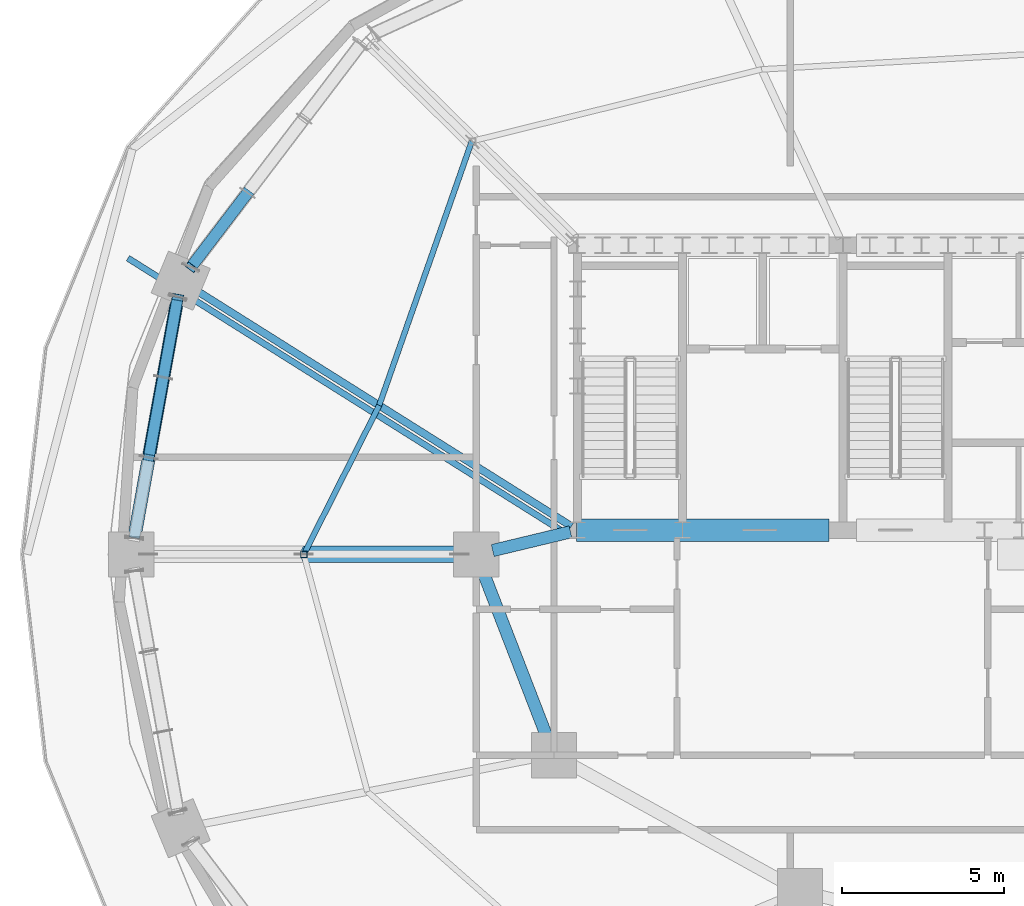
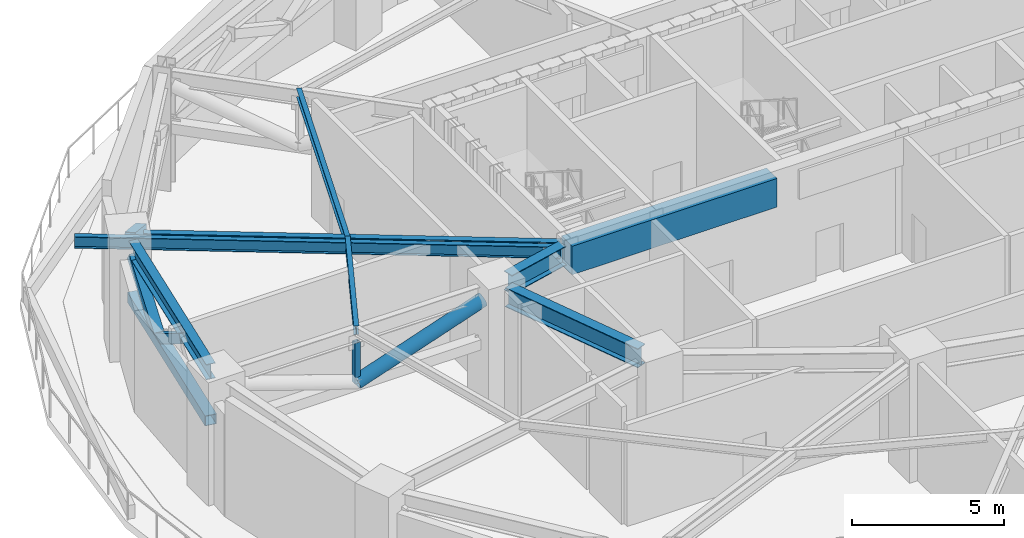
# One storey, part 3 of 18: 8 beams, 6 members.
"""IFC4 building model written with IfcOpenShell, lengths in metres."""

import ifcopenshell
import ifcopenshell.guid

model = None  # the IFC model being written
_history = None  # IfcOwnerHistory: only IFC2X3 demands one
_inside = {}  # id of a spatial element -> (the spatial element, [elements in it])
_under = {}  # id of a project, library or spatial element -> (it, [spatial elements below it])
_declared = {}  # id of a project -> (the project, [libraries it declares])
_typed = {}  # id of a type object -> (the type object, [elements of that type])
_made_of = {}  # id of a material, layer set ... -> (it, [elements and type objects made of it])


def new_model(schema):
    """Start an empty IFC model of exactly this schema.

    Asked for "IFC4X3", IfcOpenShell would pick the latest addendum, in which some entities
    have other attributes; the version numbers below select the first issue.
    IFC2X3 requires an IfcOwnerHistory on every rooted entity: one is made here for all.
    """
    global model, _history
    if schema == "IFC4X3":
        model = ifcopenshell.file(schema_version=(4, 3, 0, 0))
    else:
        model = ifcopenshell.file(schema=schema)
    _inside.clear()
    _under.clear()
    _declared.clear()
    _typed.clear()
    _made_of.clear()
    _history = None
    if model.schema == "IFC2X3":
        org = make("IfcOrganization", Name="unknown")
        user = make(
            "IfcPersonAndOrganization",
            ThePerson=make("IfcPerson", FamilyName="unknown"),
            TheOrganization=org,
        )
        app = make(
            "IfcApplication",
            ApplicationDeveloper=org,
            Version="unknown",
            ApplicationFullName="unknown",
            ApplicationIdentifier="unknown",
        )
        _history = make(
            "IfcOwnerHistory",
            OwningUser=user,
            OwningApplication=app,
            ChangeAction="ADDED",
            CreationDate=0,
        )
    return model


def make(cls, **values):
    """One entity of the class cls with the attributes given. An attribute that is None is left unset."""
    return model.create_entity(
        cls, **{name: value for name, value in values.items() if value is not None}
    )


def rooted(cls, **values):
    """An entity with a GlobalId (a new one), such as an element, a storey or a relation."""
    return make(cls, GlobalId=ifcopenshell.guid.new(), OwnerHistory=_history, **values)


def si_unit(unit_type, name, prefix=None):
    """IfcSIUnit, for example si_unit("LENGTHUNIT", "METRE", prefix="MILLI")."""
    return make("IfcSIUnit", UnitType=unit_type, Prefix=prefix, Name=name)


def assignment(units):
    """IfcUnitAssignment: the units of a project."""
    return None if units is None else make("IfcUnitAssignment", Units=units)


def point(xyz):
    """IfcCartesianPoint."""
    return None if xyz is None else make("IfcCartesianPoint", Coordinates=xyz)


def direction(xyz):
    """IfcDirection."""
    return None if xyz is None else make("IfcDirection", DirectionRatios=xyz)


def frame(location, z_axis=None, x_axis=None):
    """IfcAxis2Placement3D, a coordinate frame: its origin and axes. An axis left out is left unset."""
    return make(
        "IfcAxis2Placement3D",
        Location=point(location),
        Axis=direction(z_axis),
        RefDirection=direction(x_axis),
    )


def frame_2d(location, x_axis=None):
    """IfcAxis2Placement2D, a coordinate frame in the plane: its origin and x axis."""
    return make(
        "IfcAxis2Placement2D", Location=point(location), RefDirection=direction(x_axis)
    )


def origin():
    """The frame at (0, 0, 0) with its axes left unset."""
    return frame((0.0, 0.0, 0.0))


def origin_2d():
    """The frame at (0, 0) in the plane with its x axis left unset."""
    return frame_2d((0.0, 0.0))


def place(relative_to, where):
    """IfcLocalPlacement: puts the frame where relative to a parent placement (None: the world)."""
    return make(
        "IfcLocalPlacement", PlacementRelTo=relative_to, RelativePlacement=where
    )


def context(
    kind, dimensions, precision=None, world=None, true_north=None, identifier=None
):
    """IfcGeometricRepresentationContext, for example the 3D "Model" context."""
    return make(
        "IfcGeometricRepresentationContext",
        ContextIdentifier=identifier,
        ContextType=kind,
        CoordinateSpaceDimension=dimensions,
        Precision=precision,
        WorldCoordinateSystem=world,
        TrueNorth=true_north,
    )


def subcontext(parent, identifier, kind, view, scale=None):
    """IfcGeometricRepresentationSubContext, for example "Body" below "Model"."""
    return make(
        "IfcGeometricRepresentationSubContext",
        ContextIdentifier=identifier,
        ContextType=kind,
        ParentContext=parent,
        TargetScale=scale,
        TargetView=view,
    )


def project(units=None, contexts=None):
    """IfcProject with its units and contexts."""
    return rooted(
        "IfcProject",
        Name="project",
        RepresentationContexts=contexts,
        UnitsInContext=assignment(units),
    )


def spatial(cls, under=None, at=None, **own):
    """A site, building, storey or space (cls), placed at a placement, below another one or the project."""
    s = rooted(cls, ObjectPlacement=at, **own)
    if under is not None:
        _under.setdefault(under.id(), (under, []))[1].append(s)
    return s


def profile(cls, at=None, kind="AREA", **sizes):
    """A parametric profile (cls). Its sizes go by their IFC names, for example OverallWidth=200.0."""
    return make(cls, ProfileType=kind, Position=at, **sizes)


def rectangle(**sizes):
    """IfcRectangleProfileDef."""
    return profile("IfcRectangleProfileDef", **sizes)


def hollow_rectangle(**sizes):
    """IfcRectangleHollowProfileDef."""
    return profile("IfcRectangleHollowProfileDef", **sizes)


def hollow_circle(**sizes):
    """IfcCircleHollowProfileDef."""
    return profile("IfcCircleHollowProfileDef", **sizes)


def i_section(**sizes):
    """IfcIShapeProfileDef."""
    return profile("IfcIShapeProfileDef", **sizes)


def extrude(swept, where, along, depth):
    """IfcExtrudedAreaSolid: the profile swept, set in the frame where, extruded along a direction by depth."""
    return make(
        "IfcExtrudedAreaSolid",
        SweptArea=swept,
        Position=where,
        ExtrudedDirection=direction(along),
        Depth=depth,
    )


def shape(context_of_items, identifier, shape_type, items):
    """IfcShapeRepresentation: the items that make up one representation, for example the "Body"."""
    return make(
        "IfcShapeRepresentation",
        ContextOfItems=context_of_items,
        RepresentationIdentifier=identifier,
        RepresentationType=shape_type,
        Items=items,
    )


def material(Name=None, Category=None):
    """IfcMaterial."""
    return make("IfcMaterial", Name=Name, Category=Category)


def material_profile(
    of_material, cross_section, Name=None, Category=None, Priority=None
):
    """IfcMaterialProfile: a cross section and its material."""
    return make(
        "IfcMaterialProfile",
        Name=Name,
        Material=of_material,
        Profile=cross_section,
        Priority=Priority,
        Category=Category,
    )


def profile_set(profiles, Name=None, composite=None):
    """IfcMaterialProfileSet."""
    return make(
        "IfcMaterialProfileSet",
        Name=Name,
        MaterialProfiles=profiles,
        CompositeProfile=composite,
    )


def made_of(thing, what):
    """Note that an element or type object is made of a material, layer set ...; save() writes the relation."""
    if what is not None:
        _made_of.setdefault(what.id(), (what, []))[1].append(thing)
    return thing


def type_object(cls, material=None, **own):
    """A type object (cls), such as IfcWallType, which elements share."""
    return made_of(rooted(cls, **own), material)


def element(
    cls,
    number,
    at=None,
    inside=None,
    cuts=None,
    type_object=None,
    material=None,
    context=None,
    identifier="Body",
    shape_type=None,
    held_by="IfcProductDefinitionShape",
    body=None,
    shapes=None,
    **own,
):
    """One element of the class cls, such as IfcWall. Its Tag is "e" and its number.

    at: its placement. inside: the storey or other place that contains it. cuts: it is an
    opening in that element (IfcRelVoidsElement). A single representation is given by context,
    identifier, shape_type and body (its items); several are given by shapes. held_by: the class
    of the entity that holds the representations. save() writes the other relations.
    """
    e = rooted(cls, Tag="e%d" % number, ObjectPlacement=at, **own)
    if body is not None:
        shapes = [shape(context, identifier, shape_type, body)]
    if shapes is not None:
        e.Representation = make(held_by, Representations=shapes)
    if inside is not None:
        _inside.setdefault(inside.id(), (inside, []))[1].append(e)
    if cuts is not None:
        rooted(
            "IfcRelVoidsElement", RelatingBuildingElement=cuts, RelatedOpeningElement=e
        )
    if type_object is not None:
        _typed.setdefault(type_object.id(), (type_object, []))[1].append(e)
    return made_of(e, material)


def aggregate(whole, parts):
    """IfcRelAggregates: a whole, such as a stair, and the parts it consists of."""
    return rooted("IfcRelAggregates", RelatingObject=whole, RelatedObjects=parts)


def save(model, path):
    """Write the relations noted so far, then the file.

    IfcRelAggregates (storeys below a building ...), IfcRelContainedInSpatialStructure (elements
    in a storey), IfcRelDefinesByType, IfcRelAssociatesMaterial and IfcRelDeclares: one each for
    every whole, place, type object, material and project.
    """
    for whole, parts in _under.values():
        aggregate(whole, parts)
    for where, things in _inside.values():
        rooted(
            "IfcRelContainedInSpatialStructure",
            RelatedElements=things,
            RelatingStructure=where,
        )
    for kind, things in _typed.values():
        rooted("IfcRelDefinesByType", RelatedObjects=things, RelatingType=kind)
    for what, things in _made_of.values():
        rooted("IfcRelAssociatesMaterial", RelatedObjects=things, RelatingMaterial=what)
    for by, libraries in _declared.values():
        rooted("IfcRelDeclares", RelatingContext=by, RelatedDefinitions=libraries)
    model.write(path)


model = new_model("IFC4")

# Units and contexts
model_context = context("Model", 3, precision=1e-05, world=origin(), true_north=direction((0.0, 1.0)))
body_context = subcontext(model_context, "Body", "Model", "MODEL_VIEW")
ifc_project = project(units=[si_unit("LENGTHUNIT", "METRE"), si_unit("AREAUNIT", "SQUARE_METRE"), si_unit("VOLUMEUNIT", "CUBIC_METRE"), si_unit("PLANEANGLEUNIT", "RADIAN"), si_unit("MASSUNIT", "GRAM", prefix="KILO")], contexts=[model_context])

# Site, building, storey
site_placement = place(None, origin())
site = spatial("IfcSite", under=ifc_project, at=site_placement, CompositionType="ELEMENT")
building_placement = place(site_placement, origin())
building = spatial("IfcBuilding", under=site, at=building_placement, Name="Haldorwick Loom Tower", CompositionType="ELEMENT")
storey_placement = place(building_placement, frame((0.0, 0.0, 76.800048828125)))
storey = spatial("IfcBuildingStorey", under=building, at=storey_placement, Name="L20", CompositionType="ELEMENT", Elevation=76.800048828125)

# Beams
ifc_material_1 = material(Name="Steel CSA G40.21 350W", Category="steel")
ifc_material_profile_1 = material_profile(ifc_material_1, i_section(OverallWidth=0.193115234375, OverallDepth=0.466064453125, WebThickness=0.011474609375, FlangeThickness=0.01904296875, at=origin_2d()), Name="W460X97", Category="steel")
ifc_profile_set_1 = profile_set([ifc_material_profile_1], Name="Steel CSA G40.21 350W")
beam_type_1 = type_object("IfcBeamType", Name="STR-BM-BAL460", PredefinedType="BEAM", material=ifc_profile_set_1)
beam_1_placement = place(storey_placement, frame((21.590576171875, 26.6328125, 4.52685546875), z_axis=(-0.846621037802, 0.532196221662, 0.0), x_axis=(-0.532196221662, -0.846621037802, 0.0)))
element("IfcBeam", 1, at=beam_1_placement, inside=storey, type_object=beam_type_1, Name="L20 Continuous Back-Spanned Balcony Beam 3", PredefinedType="BEAM", context=body_context, shape_type="SweptSolid", body=[
    extrude(i_section(OverallWidth=0.193115234375, OverallDepth=0.466064453125, WebThickness=0.011474609375, FlangeThickness=0.01904296875, at=origin_2d()), origin(), (0.0, 0.0, 1.0), 16.0068359375),
])
ifc_material_2 = material(Name="Concrete C60 (60 MPa)", Category="concrete")
ifc_material_profile_2 = material_profile(ifc_material_2, rectangle(XDim=0.699951171875, YDim=1.14990234375, at=origin_2d()), Name="RC700X1150", Category="concrete")
ifc_profile_set_2 = profile_set([ifc_material_profile_2], Name="Concrete C60 (60 MPa)")
beam_type_2 = type_object("IfcBeamType", Name="STR-BM-CB1150", PredefinedType="LINTEL", material=ifc_profile_set_2)
beam_2_placement = place(storey_placement, frame((21.89990234375, 26.75, 4.18505859375), z_axis=(1.0, 0.0, 0.0), x_axis=(0.0, 1.0, 0.0)))
element("IfcBeam", 2, at=beam_2_placement, inside=storey, type_object=beam_type_2, Name="L20 Core Coupling Beam CB-S1", PredefinedType="LINTEL", context=body_context, shape_type="SweptSolid", body=[
    extrude(rectangle(XDim=0.699951171875, YDim=1.14990234375, at=origin_2d()), origin(), (0.0, 0.0, 1.0), 7.800048828125),
])
ifc_material_profile_3 = material_profile(ifc_material_1, i_section(OverallWidth=0.172119140625, OverallDepth=0.35791015625, WebThickness=0.0078125, FlangeThickness=0.01318359375, at=origin_2d()), Name="W360X57", Category="steel")
ifc_profile_set_3 = profile_set([ifc_material_profile_3], Name="Steel CSA G40.21 350W")
beam_type_3 = type_object("IfcBeamType", Name="STR-BM-J360", PredefinedType="JOIST", material=ifc_profile_set_3)
beam_3_placement = place(storey_placement, frame((18.66162109375, 38.765869140625, 4.5810546875), z_axis=(-0.330864603503, -0.943678236556, 0.0), x_axis=(0.943678236556, -0.330864603503, 0.0)))
element("IfcBeam", 3, at=beam_3_placement, inside=storey, type_object=beam_type_3, Name="L20 Mid-Bay Secondary Joist 7", PredefinedType="JOIST", context=body_context, shape_type="SweptSolid", body=[
    extrude(i_section(OverallWidth=0.172119140625, OverallDepth=0.35791015625, WebThickness=0.0078125, FlangeThickness=0.01318359375, at=origin_2d()), origin(), (0.0, 0.0, 1.0), 8.6494140625),
])
beam_4_placement = place(storey_placement, frame((15.7998046875, 30.603515625, 4.5810546875), z_axis=(-0.451373231558, -0.892335254169, 0.0), x_axis=(0.892335254169, -0.451373231558, 0.0)))
element("IfcBeam", 4, at=beam_4_placement, inside=storey, type_object=beam_type_3, Name="L20 Mid-Bay Secondary Joist 8", PredefinedType="JOIST", context=body_context, shape_type="SweptSolid", body=[
    extrude(i_section(OverallWidth=0.172119140625, OverallDepth=0.35791015625, WebThickness=0.0078125, FlangeThickness=0.01318359375, at=origin_2d()), origin(), (0.0, 0.0, 1.0), 5.158935546875),
])
ifc_material_profile_4 = material_profile(ifc_material_1, i_section(OverallWidth=0.324951171875, OverallDepth=0.615966796875, WebThickness=0.013916015625, FlangeThickness=0.021484375, at=origin_2d()), Name="W610X174", Category="steel")
ifc_profile_set_4 = profile_set([ifc_material_profile_4], Name="Steel CSA G40.21 350W")
beam_type_4 = type_object("IfcBeamType", Name="STR-BM-SP610", PredefinedType="SPANDREL", material=ifc_profile_set_4)
beam_5_placement = place(storey_placement, frame((9.576904296875, 33.945556640625, 4.451904296875), z_axis=(-0.177659490888, -0.984092020747, 0.0), x_axis=(0.984092020747, -0.177659490888, 0.0)))
element("IfcBeam", 5, at=beam_5_placement, inside=storey, type_object=beam_type_4, Name="L20 Perimeter Spandrel 8", PredefinedType="SPANDREL", context=body_context, shape_type="SweptSolid", body=[
    extrude(i_section(OverallWidth=0.324951171875, OverallDepth=0.615966796875, WebThickness=0.013916015625, FlangeThickness=0.021484375, at=origin_2d()), origin(), (0.0, 0.0, 1.0), 7.553955078125),
])
ifc_material_profile_5 = material_profile(ifc_material_1, i_section(OverallWidth=0.22998046875, OverallDepth=0.616943359375, WebThickness=0.01318359375, FlangeThickness=0.022216796875, at=origin_2d()), Name="W610X140", Category="steel")
ifc_profile_set_5 = profile_set([ifc_material_profile_5], Name="Steel CSA G40.21 350W")
beam_type_5 = type_object("IfcBeamType", Name="STR-BM-W610B", PredefinedType="BEAM", material=ifc_profile_set_5)
beam_6_placement = place(storey_placement, frame((21.739501953125, 26.86962890625, 4.451416015625), z_axis=(-0.846609551433, 0.532214493811, 0.0), x_axis=(-0.532214493811, -0.846609551433, 0.0)))
element("IfcBeam", 6, at=beam_6_placement, inside=storey, type_object=beam_type_5, Name="L20 Radial Floor Girder 8", PredefinedType="BEAM", context=body_context, shape_type="SweptSolid", body=[
    extrude(i_section(OverallWidth=0.22998046875, OverallDepth=0.616943359375, WebThickness=0.01318359375, FlangeThickness=0.022216796875, at=origin_2d()), origin(), (0.0, 0.0, 1.0), 13.737060546875),
])
ifc_material_profile_6 = material_profile(ifc_material_1, i_section(OverallWidth=0.381103515625, OverallDepth=0.77294921875, WebThickness=0.0166015625, FlangeThickness=0.027587890625, at=origin_2d()), Name="W760X257", Category="steel")
ifc_profile_set_6 = profile_set([ifc_material_profile_6], Name="Steel CSA G40.21 350W")
beam_type_6 = type_object("IfcBeamType", Name="STR-BM-W760", PredefinedType="BEAM", material=ifc_profile_set_6)
beam_7_placement = place(storey_placement, frame((21.01220703125, 20.284912109375, 4.37353515625), z_axis=(-0.360964792353, 0.93257944363, 0.0), x_axis=(-0.93257944363, -0.360964792353, 0.0)))
element("IfcBeam", 7, at=beam_7_placement, inside=storey, type_object=beam_type_6, Name="L20 Inner Ring Girder 8", PredefinedType="BEAM", context=body_context, shape_type="SweptSolid", body=[
    extrude(i_section(OverallWidth=0.381103515625, OverallDepth=0.77294921875, WebThickness=0.0166015625, FlangeThickness=0.027587890625, at=origin_2d()), origin(), (0.0, 0.0, 1.0), 5.6083984375),
])
beam_8_placement = place(storey_placement, frame((19.3056640625, 26.12109375, 4.37353515625), z_axis=(0.97247055837, 0.233025777764, 0.0), x_axis=(-0.233025777764, 0.97247055837, 0.0)))
element("IfcBeam", 8, at=beam_8_placement, inside=storey, type_object=beam_type_6, Name="L20 Inner Ring Girder 9", PredefinedType="BEAM", context=body_context, shape_type="SweptSolid", body=[
    extrude(i_section(OverallWidth=0.381103515625, OverallDepth=0.77294921875, WebThickness=0.0166015625, FlangeThickness=0.027587890625, at=origin_2d()), origin(), (0.0, 0.0, 1.0), 2.4736328125),
])

# Members
ifc_material_profile_7 = material_profile(ifc_material_1, hollow_rectangle(XDim=0.355712890625, YDim=0.355712890625, WallThickness=0.015869140625, at=origin_2d()), Name="HSS356X356X16", Category="steel")
ifc_profile_set_7 = profile_set([ifc_material_profile_7], Name="Steel CSA G40.21 350W")
member_type_1 = type_object("IfcMemberType", Name="STR-MEM-BR356", PredefinedType="BRACE", material=ifc_profile_set_7)
member_1_placement = place(storey_placement, frame((11.731689453125, 37.16845703125, 2.5), z_axis=(-0.526079233479, -0.691590610092, 0.49491723362), x_axis=(0.795901344986, -0.6054263366, 0.0)))
element("IfcMember", 9, at=member_1_placement, inside=storey, type_object=member_type_1, Name="L20 Perimeter Belt Truss Web Diagonal 7-3", PredefinedType="BRACE", context=body_context, shape_type="SweptSolid", body=[
    extrude(hollow_rectangle(XDim=0.355712890625, YDim=0.355712890625, WallThickness=0.015869140625, at=origin_2d()), origin(), (0.0, 0.0, 1.0), 3.32177734375),
])
member_2_placement = place(storey_placement, frame((9.576904296875, 33.945556640625, 4.14404296875), z_axis=(-0.148729188823, -0.8240181586, -0.546693426602), x_axis=(0.984098690471, -0.177622541965, 0.0)))
element("IfcMember", 10, at=member_2_placement, inside=storey, type_object=member_type_1, Name="L20 Perimeter Belt Truss Web Diagonal 8-1", PredefinedType="BRACE", context=body_context, shape_type="SweptSolid", body=[
    extrude(hollow_rectangle(XDim=0.355712890625, YDim=0.355712890625, WallThickness=0.015869140625, at=origin_2d()), origin(), (0.0, 0.0, 1.0), 3.00732421875),
])
member_3_placement = place(storey_placement, frame((9.129638671875, 31.467529296875, 2.5), z_axis=(-0.148818530754, -0.823982143275, 0.546723396671), x_axis=(0.984078676094, -0.177733393761, 0.0)))
element("IfcMember", 11, at=member_3_placement, inside=storey, type_object=member_type_1, Name="L20 Perimeter Belt Truss Web Diagonal 8-2", PredefinedType="BRACE", context=body_context, shape_type="SweptSolid", body=[
    extrude(hollow_rectangle(XDim=0.355712890625, YDim=0.355712890625, WallThickness=0.015869140625, at=origin_2d()), origin(), (0.0, 0.0, 1.0), 3.007080078125),
])
ifc_material_profile_8 = material_profile(ifc_material_1, hollow_circle(Radius=0.25390625, WallThickness=0.015869140625, at=origin_2d()), Name="HSS508X16", Category="steel")
ifc_profile_set_8 = profile_set([ifc_material_profile_8], Name="Steel CSA G40.21 350W")
member_type_2 = type_object("IfcMemberType", Name="STR-MEM-BR508", PredefinedType="BRACE", material=ifc_profile_set_8)
member_4_placement = place(storey_placement, frame((18.280029296875, 26.0, 4.14306640625), z_axis=(-0.946288205536, 0.0, -0.32332434499), x_axis=(0.0, -1.0, 0.0)))
element("IfcMember", 12, at=member_4_placement, inside=storey, type_object=member_type_2, Name="L20 Outrigger OT-W Inner Diagonal", PredefinedType="BRACE", context=body_context, shape_type="SweptSolid", body=[
    extrude(hollow_circle(Radius=0.25390625, WallThickness=0.015869140625, at=origin_2d()), origin(), (0.0, 0.0, 1.0), 5.081787109375),
])
ifc_material_profile_9 = material_profile(ifc_material_1, hollow_rectangle(XDim=0.406494140625, YDim=0.406494140625, WallThickness=0.015869140625, at=origin_2d()), Name="HSS406X406X16", Category="steel")
ifc_profile_set_9 = profile_set([ifc_material_profile_9], Name="Steel CSA G40.21 350W")
member_type_3 = type_object("IfcMemberType", Name="STR-MEM-CH406", PredefinedType="CHORD", material=ifc_profile_set_9)
member_5_placement = place(storey_placement, frame((9.576904296875, 33.945556640625, 2.5), z_axis=(-0.177659490888, -0.984092020747, 0.0), x_axis=(0.984092020747, -0.177659490888, 0.0)))
element("IfcMember", 13, at=member_5_placement, inside=storey, type_object=member_type_3, Name="L20 Perimeter Belt Truss Bottom Chord 8", PredefinedType="CHORD", context=body_context, shape_type="SweptSolid", body=[
    extrude(hollow_rectangle(XDim=0.406494140625, YDim=0.406494140625, WallThickness=0.015869140625, at=origin_2d()), origin(), (0.0, 0.0, 1.0), 7.553955078125),
])
ifc_material_profile_10 = material_profile(ifc_material_1, hollow_rectangle(XDim=0.203125, YDim=0.203125, WallThickness=0.009521484375, at=origin_2d()), Name="HSS203X203X10", Category="steel")
ifc_profile_set_10 = profile_set([ifc_material_profile_10], Name="Steel CSA G40.21 350W")
member_type_4 = type_object("IfcMemberType", Name="STR-MEM-ST203", PredefinedType="STRUT", material=ifc_profile_set_10)
member_6_placement = place(storey_placement, frame((13.47119140625, 26.0, 2.5), z_axis=(0.0, 0.0, 1.0), x_axis=(1.0, 0.0, 0.0)))
element("IfcMember", 14, at=member_6_placement, inside=storey, type_object=member_type_4, Name="L20 Outrigger OT-W Mid Post", PredefinedType="STRUT", context=body_context, shape_type="SweptSolid", body=[
    extrude(hollow_rectangle(XDim=0.203125, YDim=0.203125, WallThickness=0.009521484375, at=origin_2d()), origin(), (0.0, 0.0, 1.0), 1.64306640625),
])

save(model, "model.ifc")
